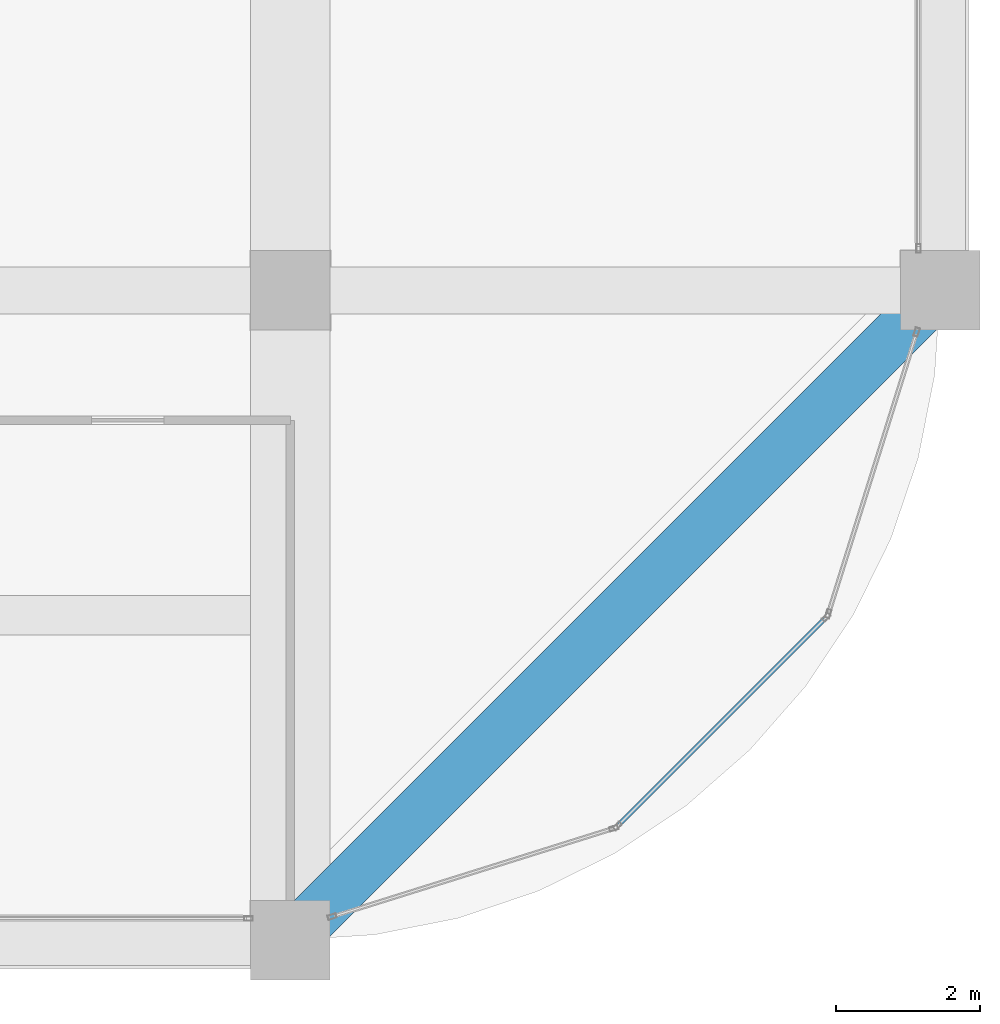
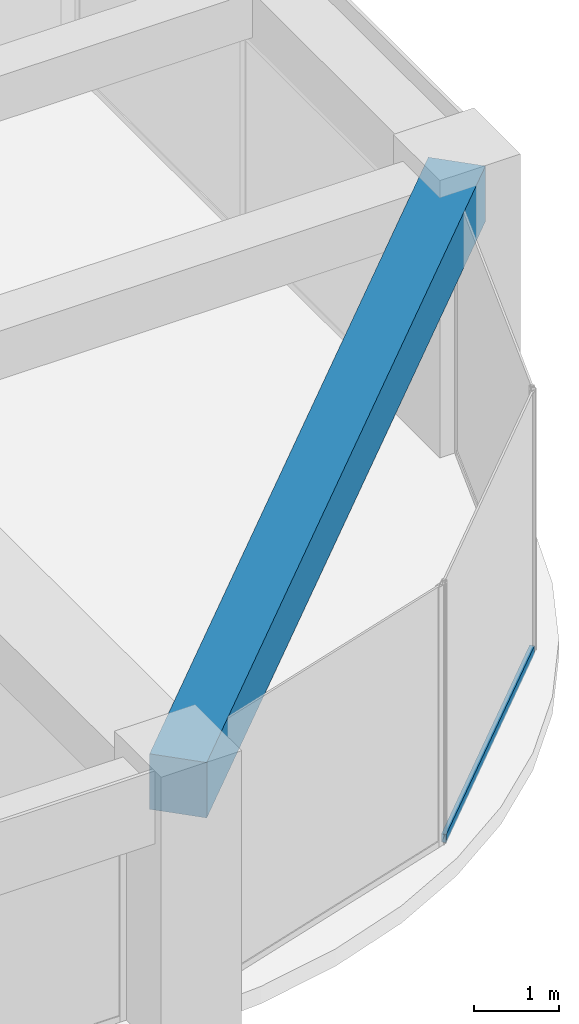
# One storey, part 19 of 44: 1 beam, 1 member, 1 element without a shape of its own.
"""IFC4 building model written with IfcOpenShell, lengths in metres."""

from ifc_helpers import new_model, si_unit, direction, frame, origin, origin_2d, place, context, subcontext, project, spatial, rectangle, hollow_rectangle, extrude, material, material_profile, profile_set, type_object, element, aggregate, save


model = new_model("IFC4")

# Units and contexts
model_context = context("Model", 3, precision=1e-05, world=origin(), true_north=direction((0.0, 1.0)))
body_context = subcontext(model_context, "Body", "Model", "MODEL_VIEW")
ifc_project = project(units=[si_unit("LENGTHUNIT", "METRE"), si_unit("AREAUNIT", "SQUARE_METRE"), si_unit("VOLUMEUNIT", "CUBIC_METRE"), si_unit("PLANEANGLEUNIT", "RADIAN"), si_unit("MASSUNIT", "GRAM", prefix="KILO")], contexts=[model_context])

# Site, building, storey
site_placement = place(None, origin())
site = spatial("IfcSite", under=ifc_project, at=site_placement, CompositionType="ELEMENT")
building_placement = place(site_placement, origin())
building = spatial("IfcBuilding", under=site, at=building_placement, Name="Zorevar Civic Tower", CompositionType="ELEMENT")
storey_placement = place(building_placement, frame((0.0, 0.0, 283.39990234375)))
storey = spatial("IfcBuildingStorey", under=building, at=storey_placement, Name="L69", CompositionType="ELEMENT", Elevation=283.39990234375)

# Curtain wall, member
ifc_material_1 = material(Name="Dark grey solar-control glass in black aluminium frame", Category="aluminium")
curtain_wall_type = type_object("IfcCurtainWallType", Name="Curtain wall CW5 top zone", PredefinedType="NOTDEFINED", material=ifc_material_1)
curtain_wall_placement = place(storey_placement, origin())
curtain_wall = element("IfcCurtainWall", 1, at=curtain_wall_placement, inside=storey, type_object=curtain_wall_type, Name="CW5 L69", PredefinedType="NOTDEFINED")
ifc_material_2 = material(Name="Aluminium, black anodised", Category="aluminium")
ifc_material_profile_1 = material_profile(ifc_material_2, hollow_rectangle(XDim=0.06005859375, YDim=0.1201171875, WallThickness=0.0029296875, at=origin_2d()), Name="AL 120x60x3")
ifc_profile_set_1 = profile_set([ifc_material_profile_1], Name="Aluminium, black anodised")
member_type = type_object("IfcMemberType", Name="CW5 transom AL 120x60x3", PredefinedType="USERDEFINED", material=ifc_profile_set_1)
member_placement = place(storey_placement, frame((49.55029296875, 1.6015625, 0.030029296875), z_axis=(0.707106781187, 0.707106781187, 0.0), x_axis=(-0.707106781187, 0.707106781187, 0.0)))
member = element("IfcMember", 2, at=member_placement, type_object=member_type, Name="CW5 sill transom", ObjectType="TRANSOM", PredefinedType="USERDEFINED", context=body_context, shape_type="SweptSolid", body=[
    extrude(hollow_rectangle(XDim=0.06005859375, YDim=0.1201171875, WallThickness=0.0029296875, at=origin_2d()), origin(), (0.0, 0.0, 1.0), 4.02783203125),
])
aggregate(curtain_wall, [member])

# Beam
ifc_material_3 = material(Name="Concrete C50/60", Category="concrete")
ifc_material_profile_2 = material_profile(ifc_material_3, rectangle(XDim=0.699951171875, YDim=0.800048828125, at=origin_2d()), Name="RC 700x800")
ifc_profile_set_2 = profile_set([ifc_material_profile_2], Name="Concrete C50/60")
beam_type = type_object("IfcBeamType", Name="Edge beam RC 700x800", PredefinedType="SPANDREL", material=ifc_profile_set_2)
beam_placement = place(storey_placement, frame((45.0, 0.0, 3.35009765625), z_axis=(0.707106781187, 0.707106781187, 0.0), x_axis=(-0.707106781187, 0.707106781187, 0.0)))
element("IfcBeam", 3, at=beam_placement, inside=storey, type_object=beam_type, Name="Corner edge beam L70", PredefinedType="SPANDREL", context=body_context, shape_type="SweptSolid", body=[
    extrude(rectangle(XDim=0.699951171875, YDim=0.800048828125, at=origin_2d()), origin(), (0.0, 0.0, 1.0), 12.72802734375),
])

save(model, "model.ifc")
